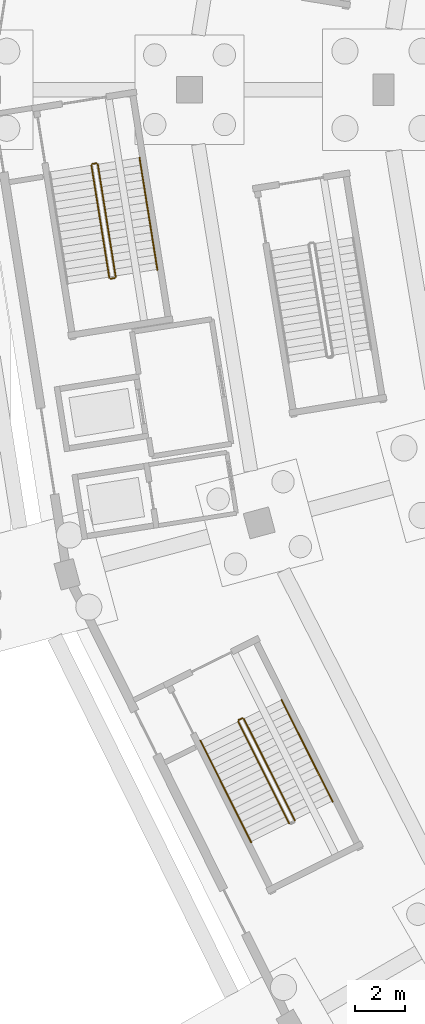
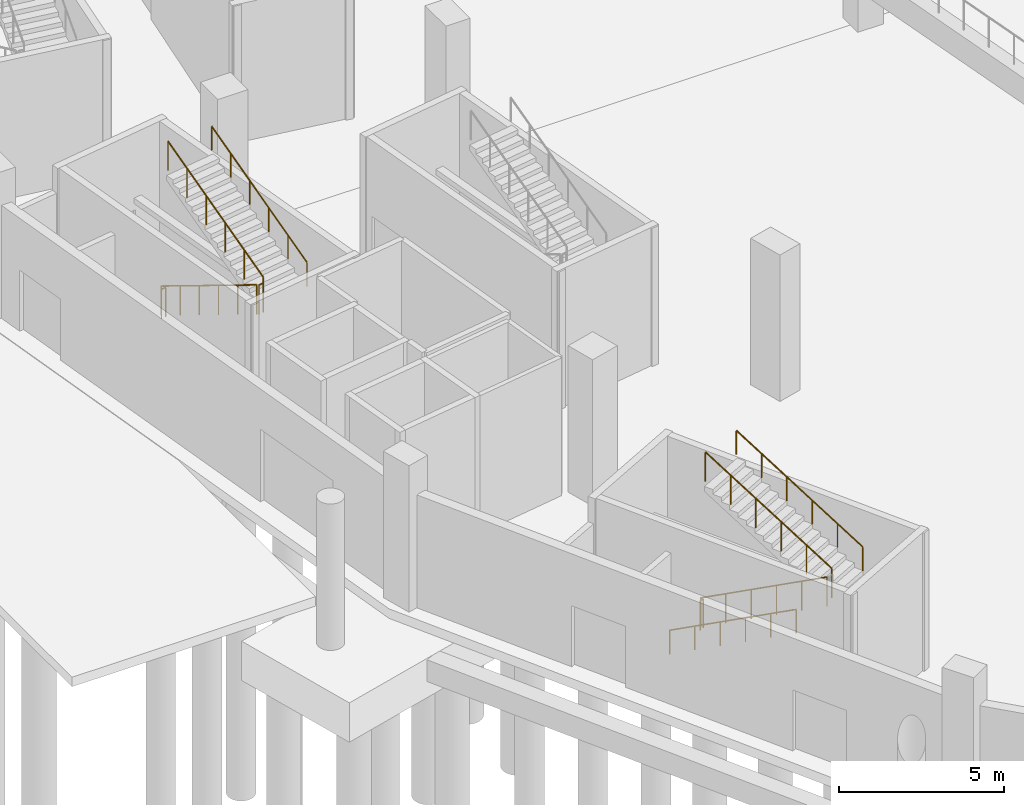
# One storey, part 65 of 103: 10 railings.
"""IFC4 building model written with IfcOpenShell, lengths in metres."""

from ifc_helpers import new_model, si_unit, direction, frame, origin, origin_2d, place, context, subcontext, project, spatial, circle, extrude, material, type_object, element, save


model = new_model("IFC4")

# Units and contexts
model_context = context("Model", 3, precision=1e-05, world=origin(), true_north=direction((0.0, 1.0)))
body_context = subcontext(model_context, "Body", "Model", "MODEL_VIEW")
ifc_project = project(units=[si_unit("LENGTHUNIT", "METRE"), si_unit("AREAUNIT", "SQUARE_METRE"), si_unit("VOLUMEUNIT", "CUBIC_METRE"), si_unit("PLANEANGLEUNIT", "RADIAN"), si_unit("MASSUNIT", "GRAM", prefix="KILO")], contexts=[model_context])

# Site, building, storey
site_placement = place(None, origin())
site = spatial("IfcSite", under=ifc_project, at=site_placement, CompositionType="ELEMENT")
building_placement = place(site_placement, origin())
building = spatial("IfcBuilding", under=site, at=building_placement, Name="Zevraka Park Crest Stadium", CompositionType="ELEMENT")
storey_placement = place(building_placement, origin())
storey = spatial("IfcBuildingStorey", under=building, at=storey_placement, Name="L00", CompositionType="ELEMENT", Elevation=0.0)

# Railings
ifc_material_1 = material(Name="Powder-coated tubular steel stairwell guard", Category="steel")
railing_type_1 = type_object("IfcRailingType", Name="GR03", PredefinedType="GUARDRAIL", material=ifc_material_1)
railing_1_placement = place(storey_placement, frame((25.75341796875, 88.960205078125, 0.168701171875)))
element("IfcRailing", 1, at=railing_1_placement, inside=storey, type_object=railing_type_1, Name="L00 ST13 stair guard 1", PredefinedType="GUARDRAIL", context=body_context, shape_type="SweptSolid", body=[
    extrude(circle(Radius=0.02392578125, at=origin_2d()), frame((0.0, 0.0, 1.076171875), z_axis=(0.137606314293, -0.864113489075, 0.484120212619), x_axis=(0.987556583672, 0.157264090137, 0.0)), (0.0, 0.0, 1.0), 5.228515625),
    extrude(circle(Radius=0.02099609375, at=origin_2d()), origin(), (0.0, 0.0, 1.0), 1.052001953125),
    extrude(circle(Radius=0.02099609375, at=origin_2d()), frame((0.143798828125, -0.903564453125, 0.50634765625)), (0.0, 0.0, 1.0), 1.052001953125),
    extrude(circle(Radius=0.02099609375, at=origin_2d()), frame((0.287841796875, -1.80712890625, 1.012451171875)), (0.0, 0.0, 1.0), 1.052001953125),
    extrude(circle(Radius=0.02099609375, at=origin_2d()), frame((0.431640625, -2.7109375, 1.518798828125)), (0.0, 0.0, 1.0), 1.052001953125),
    extrude(circle(Radius=0.02099609375, at=origin_2d()), frame((0.57568359375, -3.614501953125, 2.02490234375)), (0.0, 0.0, 1.0), 1.052001953125),
    extrude(circle(Radius=0.02099609375, at=origin_2d()), frame((0.719482421875, -4.51806640625, 2.53125)), (0.0, 0.0, 1.0), 1.052001953125),
])
railing_2_placement = place(storey_placement, frame((26.530029296875, 84.400634765625, 2.699951171875)))
element("IfcRailing", 2, at=railing_2_placement, inside=storey, type_object=railing_type_1, Name="L00 ST13 stair guard 2", PredefinedType="GUARDRAIL", context=body_context, shape_type="SweptSolid", body=[
    extrude(circle(Radius=0.02392578125, at=origin_2d()), frame((0.0, 0.0, 1.076171875), z_axis=(0.987564153079, 0.157216549872, 0.0), x_axis=(-0.157216549872, 0.987564153079, 0.0)), (0.0, 0.0, 1.0), 0.159912109375),
    extrude(circle(Radius=0.02099609375, at=origin_2d()), origin(), (0.0, 0.0, 1.0), 1.052001953125),
    extrude(circle(Radius=0.02099609375, at=origin_2d()), frame((0.157958984375, 0.025146484375, 0.0)), (0.0, 0.0, 1.0), 1.052001953125),
])
railing_3_placement = place(storey_placement, frame((26.729736328125, 84.483154296875, 2.86865234375)))
element("IfcRailing", 3, at=railing_3_placement, inside=storey, type_object=railing_type_1, Name="L00 ST13 stair guard 3", PredefinedType="GUARDRAIL", context=body_context, shape_type="SweptSolid", body=[
    extrude(circle(Radius=0.02392578125, at=origin_2d()), frame((0.0, 0.0, 1.076171875), z_axis=(-0.137606314293, 0.864113489075, 0.484120212619), x_axis=(-0.987556583672, -0.157264090137, 0.0)), (0.0, 0.0, 1.0), 5.228515625),
    extrude(circle(Radius=0.02099609375, at=origin_2d()), origin(), (0.0, 0.0, 1.0), 1.052001953125),
    extrude(circle(Radius=0.02099609375, at=origin_2d()), frame((-0.143798828125, 0.903564453125, 0.50634765625)), (0.0, 0.0, 1.0), 1.052001953125),
    extrude(circle(Radius=0.02099609375, at=origin_2d()), frame((-0.287841796875, 1.80712890625, 1.012451171875)), (0.0, 0.0, 1.0), 1.052001953125),
    extrude(circle(Radius=0.02099609375, at=origin_2d()), frame((-0.431640625, 2.7109375, 1.518798828125)), (0.0, 0.0, 1.0), 1.052001953125),
    extrude(circle(Radius=0.02099609375, at=origin_2d()), frame((-0.57568359375, 3.614501953125, 2.02490234375)), (0.0, 0.0, 1.0), 1.052001953125),
    extrude(circle(Radius=0.02099609375, at=origin_2d()), frame((-0.719482421875, 4.51806640625, 2.53125)), (0.0, 0.0, 1.0), 1.052001953125),
])
railing_4_placement = place(storey_placement, frame((25.794921875, 89.017578125, 0.0)))
element("IfcRailing", 4, at=railing_4_placement, inside=storey, type_object=railing_type_1, Name="L00 ST13 stair guard 4", PredefinedType="GUARDRAIL", context=body_context, shape_type="SweptSolid", body=[
    extrude(circle(Radius=0.02392578125, at=origin_2d()), frame((0.0, 0.0, 1.076171875), z_axis=(0.987564153079, 0.157216549872, 0.0), x_axis=(-0.157216549872, 0.987564153079, 0.0)), (0.0, 0.0, 1.0), 0.159912109375),
    extrude(circle(Radius=0.02099609375, at=origin_2d()), origin(), (0.0, 0.0, 1.0), 1.052001953125),
    extrude(circle(Radius=0.02099609375, at=origin_2d()), frame((0.157958984375, 0.025146484375, 0.0)), (0.0, 0.0, 1.0), 1.052001953125),
])
railing_5_placement = place(storey_placement, frame((31.6533203125, 66.586669921875, 0.168701171875)))
element("IfcRailing", 5, at=railing_5_placement, inside=storey, type_object=railing_type_1, Name="L00 ST14 stair guard 1", PredefinedType="GUARDRAIL", context=body_context, shape_type="SweptSolid", body=[
    extrude(circle(Radius=0.02392578125, at=origin_2d()), frame((0.0, 0.0, 1.076171875), z_axis=(0.391947328971, -0.782307070478, 0.484120789466), x_axis=(0.894064019909, 0.447939201571, 0.0)), (0.0, 0.0, 1.0), 5.228515625),
    extrude(circle(Radius=0.02099609375, at=origin_2d()), origin(), (0.0, 0.0, 1.0), 1.052001953125),
    extrude(circle(Radius=0.02099609375, at=origin_2d()), frame((0.409912109375, -0.818115234375, 0.50634765625)), (0.0, 0.0, 1.0), 1.052001953125),
    extrude(circle(Radius=0.02099609375, at=origin_2d()), frame((0.81982421875, -1.63623046875, 1.012451171875)), (0.0, 0.0, 1.0), 1.052001953125),
    extrude(circle(Radius=0.02099609375, at=origin_2d()), frame((1.2294921875, -2.4541015625, 1.518798828125)), (0.0, 0.0, 1.0), 1.052001953125),
    extrude(circle(Radius=0.02099609375, at=origin_2d()), frame((1.639404296875, -3.272216796875, 2.02490234375)), (0.0, 0.0, 1.0), 1.052001953125),
    extrude(circle(Radius=0.02099609375, at=origin_2d()), frame((2.04931640625, -4.09033203125, 2.53125)), (0.0, 0.0, 1.0), 1.052001953125),
])
railing_6_placement = place(storey_placement, frame((33.93505859375, 62.61279296875, 2.86865234375)))
element("IfcRailing", 6, at=railing_6_placement, inside=storey, type_object=railing_type_1, Name="L00 ST14 stair guard 3", PredefinedType="GUARDRAIL", context=body_context, shape_type="SweptSolid", body=[
    extrude(circle(Radius=0.02392578125, at=origin_2d()), frame((0.0, 0.0, 1.076171875), z_axis=(-0.391907807358, 0.782321387403, 0.484129649313), x_axis=(-0.89408539104, -0.447896543333, 0.0)), (0.0, 0.0, 1.0), 5.228515625),
    extrude(circle(Radius=0.02099609375, at=origin_2d()), origin(), (0.0, 0.0, 1.0), 1.052001953125),
    extrude(circle(Radius=0.02099609375, at=origin_2d()), frame((-0.409912109375, 0.818115234375, 0.50634765625)), (0.0, 0.0, 1.0), 1.052001953125),
    extrude(circle(Radius=0.02099609375, at=origin_2d()), frame((-0.819580078125, 1.63623046875, 1.012451171875)), (0.0, 0.0, 1.0), 1.052001953125),
    extrude(circle(Radius=0.02099609375, at=origin_2d()), frame((-1.2294921875, 2.4541015625, 1.518798828125)), (0.0, 0.0, 1.0), 1.052001953125),
    extrude(circle(Radius=0.02099609375, at=origin_2d()), frame((-1.63916015625, 3.272216796875, 2.02490234375)), (0.0, 0.0, 1.0), 1.052001953125),
    extrude(circle(Radius=0.02099609375, at=origin_2d()), frame((-2.049072265625, 4.09033203125, 2.53125)), (0.0, 0.0, 1.0), 1.052001953125),
])
railing_7_placement = place(storey_placement, frame((31.67578125, 66.65380859375, 0.0)))
element("IfcRailing", 7, at=railing_7_placement, inside=storey, type_object=railing_type_1, Name="L00 ST14 stair guard 4", PredefinedType="GUARDRAIL", context=body_context, shape_type="SweptSolid", body=[
    extrude(circle(Radius=0.02392578125, at=origin_2d()), frame((0.0, 0.0, 1.076171875), z_axis=(0.894427191, 0.4472135955, 0.0), x_axis=(-0.4472135955, 0.894427191, 0.0)), (0.0, 0.0, 1.0), 0.159912109375),
    extrude(circle(Radius=0.02099609375, at=origin_2d()), origin(), (0.0, 0.0, 1.0), 1.052001953125),
    extrude(circle(Radius=0.02099609375, at=origin_2d()), frame((0.14306640625, 0.071533203125, 0.0)), (0.0, 0.0, 1.0), 1.052001953125),
])
ifc_material_2 = material(Name="Brushed stainless steel continuous handrail", Category="steel")
railing_type_2 = type_object("IfcRailingType", Name="HR01", PredefinedType="HANDRAIL", material=ifc_material_2)
railing_8_placement = place(storey_placement, frame((28.408447265625, 84.75048828125, 2.86865234375)))
element("IfcRailing", 8, at=railing_8_placement, inside=storey, type_object=railing_type_2, Name="L00 ST13 stair handrail 2", PredefinedType="HANDRAIL", context=body_context, shape_type="SweptSolid", body=[
    extrude(circle(Radius=0.02392578125, at=origin_2d()), frame((0.0, 0.0, 0.8759765625), z_axis=(-0.137606314293, 0.864113489075, 0.484120212619), x_axis=(-0.987556583672, -0.157264090137, 0.0)), (0.0, 0.0, 1.0), 5.228515625),
    extrude(circle(Radius=0.02099609375, at=origin_2d()), origin(), (0.0, 0.0, 1.0), 0.851806640625),
    extrude(circle(Radius=0.02099609375, at=origin_2d()), frame((-0.143798828125, 0.903564453125, 0.50634765625)), (0.0, 0.0, 1.0), 0.851806640625),
    extrude(circle(Radius=0.02099609375, at=origin_2d()), frame((-0.287841796875, 1.80712890625, 1.012451171875)), (0.0, 0.0, 1.0), 0.851806640625),
    extrude(circle(Radius=0.02099609375, at=origin_2d()), frame((-0.431640625, 2.7109375, 1.518798828125)), (0.0, 0.0, 1.0), 0.851806640625),
    extrude(circle(Radius=0.02099609375, at=origin_2d()), frame((-0.57568359375, 3.614501953125, 2.02490234375)), (0.0, 0.0, 1.0), 0.851806640625),
    extrude(circle(Radius=0.02099609375, at=origin_2d()), frame((-0.719482421875, 4.51806640625, 2.53125)), (0.0, 0.0, 1.0), 0.851806640625),
])
railing_9_placement = place(storey_placement, frame((30.133544921875, 65.8251953125, 0.168701171875)))
element("IfcRailing", 9, at=railing_9_placement, inside=storey, type_object=railing_type_2, Name="L00 ST14 stair handrail 1", PredefinedType="HANDRAIL", context=body_context, shape_type="SweptSolid", body=[
    extrude(circle(Radius=0.02392578125, at=origin_2d()), frame((0.0, 0.0, 0.8759765625), z_axis=(0.391907807358, -0.782321387403, 0.484129649313), x_axis=(0.89408539104, 0.447896543333, 0.0)), (0.0, 0.0, 1.0), 5.228515625),
    extrude(circle(Radius=0.02099609375, at=origin_2d()), origin(), (0.0, 0.0, 1.0), 0.851806640625),
    extrude(circle(Radius=0.02099609375, at=origin_2d()), frame((0.409912109375, -0.818115234375, 0.50634765625)), (0.0, 0.0, 1.0), 0.851806640625),
    extrude(circle(Radius=0.02099609375, at=origin_2d()), frame((0.819580078125, -1.63623046875, 1.012451171875)), (0.0, 0.0, 1.0), 0.851806640625),
    extrude(circle(Radius=0.02099609375, at=origin_2d()), frame((1.2294921875, -2.4541015625, 1.518798828125)), (0.0, 0.0, 1.0), 0.851806640625),
    extrude(circle(Radius=0.02099609375, at=origin_2d()), frame((1.63916015625, -3.272216796875, 2.02490234375)), (0.0, 0.0, 1.0), 0.851806640625),
    extrude(circle(Radius=0.02099609375, at=origin_2d()), frame((2.049072265625, -4.09033203125, 2.53125)), (0.0, 0.0, 1.0), 0.851806640625),
])
railing_10_placement = place(storey_placement, frame((35.455078125, 63.374267578125, 2.86865234375)))
element("IfcRailing", 10, at=railing_10_placement, inside=storey, type_object=railing_type_2, Name="L00 ST14 stair handrail 2", PredefinedType="HANDRAIL", context=body_context, shape_type="SweptSolid", body=[
    extrude(circle(Radius=0.02392578125, at=origin_2d()), frame((0.0, 0.0, 0.8759765625), z_axis=(-0.391947328971, 0.782307070478, 0.484120789466), x_axis=(-0.894064019909, -0.447939201571, 0.0)), (0.0, 0.0, 1.0), 5.228515625),
    extrude(circle(Radius=0.02099609375, at=origin_2d()), origin(), (0.0, 0.0, 1.0), 0.851806640625),
    extrude(circle(Radius=0.02099609375, at=origin_2d()), frame((-0.409912109375, 0.818115234375, 0.50634765625)), (0.0, 0.0, 1.0), 0.851806640625),
    extrude(circle(Radius=0.02099609375, at=origin_2d()), frame((-0.81982421875, 1.63623046875, 1.012451171875)), (0.0, 0.0, 1.0), 0.851806640625),
    extrude(circle(Radius=0.02099609375, at=origin_2d()), frame((-1.2294921875, 2.4541015625, 1.518798828125)), (0.0, 0.0, 1.0), 0.851806640625),
    extrude(circle(Radius=0.02099609375, at=origin_2d()), frame((-1.639404296875, 3.272216796875, 2.02490234375)), (0.0, 0.0, 1.0), 0.851806640625),
    extrude(circle(Radius=0.02099609375, at=origin_2d()), frame((-2.04931640625, 4.09033203125, 2.53125)), (0.0, 0.0, 1.0), 0.851806640625),
])

save(model, "model.ifc")
